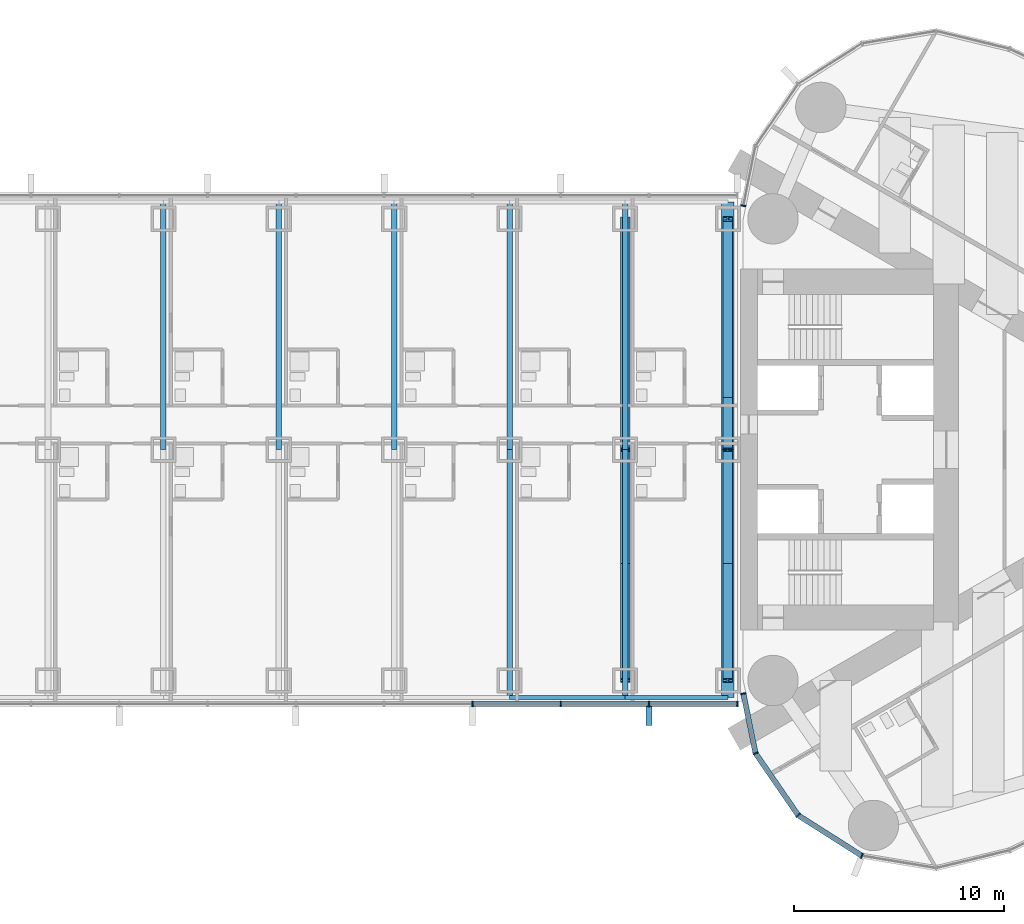
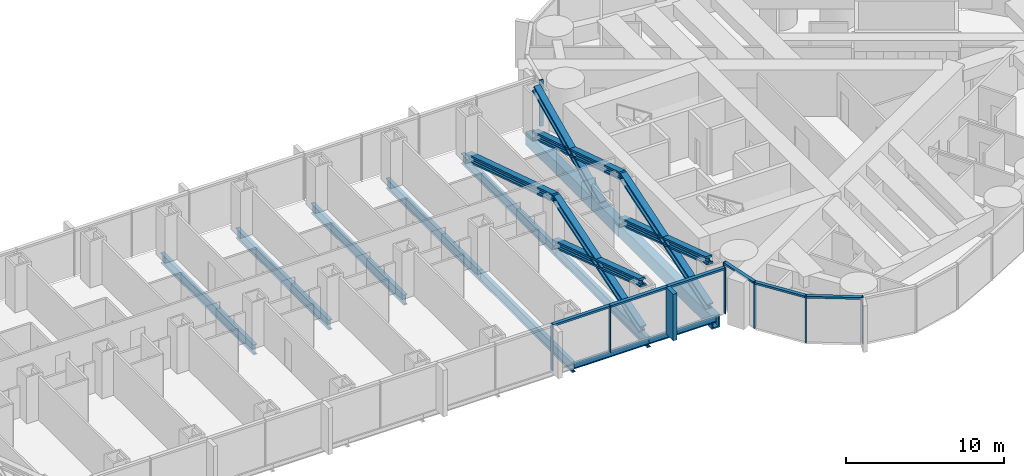
# One storey, part 7 of 23: 23 members, 11 beams, 2 elements without a shape of their own.
"""IFC4 building model written with IfcOpenShell, lengths in metres."""

from ifc_helpers import new_model, si_unit, direction, frame, origin, origin_2d, place, context, subcontext, project, spatial, rectangle, hollow_rectangle, i_section, extrude, material, material_profile, profile_set, type_object, element, aggregate, save


model = new_model("IFC4")

# Units and contexts
model_context = context("Model", 3, precision=1e-05, world=origin(), true_north=direction((0.0, 1.0)))
body_context = subcontext(model_context, "Body", "Model", "MODEL_VIEW")
ifc_project = project(units=[si_unit("LENGTHUNIT", "METRE"), si_unit("AREAUNIT", "SQUARE_METRE"), si_unit("VOLUMEUNIT", "CUBIC_METRE"), si_unit("PLANEANGLEUNIT", "RADIAN"), si_unit("MASSUNIT", "GRAM", prefix="KILO")], contexts=[model_context])

# Site, building, storey
site_placement = place(None, origin())
site = spatial("IfcSite", under=ifc_project, at=site_placement, CompositionType="ELEMENT")
building_placement = place(site_placement, origin())
building = spatial("IfcBuilding", under=site, at=building_placement, Name="Lancet Gate Hotel", CompositionType="ELEMENT")
storey_placement = place(building_placement, frame((0.0, 0.0, 215.300048828125)))
storey = spatial("IfcBuildingStorey", under=building, at=storey_placement, Name="L57", CompositionType="ELEMENT", Elevation=215.300048828125)

# Curtain wall, members
ifc_material_1 = material(Name="Aluminium curtain wall", Category="aluminium")
curtain_wall_type_1 = type_object("IfcCurtainWallType", Name="Tower unitised curtain wall", PredefinedType="USERDEFINED", material=ifc_material_1)
curtain_wall_1_placement = place(storey_placement, origin())
curtain_wall_1 = element("IfcCurtainWall", 1, at=curtain_wall_1_placement, inside=storey, type_object=curtain_wall_type_1, Name="T2 L57 curtain wall 1", ObjectType="UNITISED CURTAIN WALL", PredefinedType="USERDEFINED")
ifc_material_2 = material(Name="Aluminium mullion", Category="aluminium")
ifc_material_profile_1 = material_profile(ifc_material_2, rectangle(XDim=0.06494140625, YDim=0.25, at=origin_2d()), Name="MULLION 65x250")
ifc_profile_set_1 = profile_set([ifc_material_profile_1], Name="Aluminium mullion")
member_type_1 = type_object("IfcMemberType", Name="Aluminium mullion 65x250", PredefinedType="MULLION", material=ifc_profile_set_1)
member_1_placement = place(storey_placement, frame((27.6376953125, -11.624755859375, 0.0), z_axis=(0.0, 0.0, 1.0), x_axis=(0.199533486841, -0.979891008036, 0.0)))
member_1 = element("IfcMember", 2, at=member_1_placement, type_object=member_type_1, Name="T2 L57 curtain wall 1 mullion 1", PredefinedType="MULLION", context=body_context, shape_type="SweptSolid", body=[
    extrude(rectangle(XDim=0.06494140625, YDim=0.25, at=origin_2d()), origin(), (0.0, 0.0, 1.0), 3.599853515625),
])
member_2_placement = place(storey_placement, frame((28.216552734375, -14.467529296875, 0.0), z_axis=(0.0, 0.0, 1.0), x_axis=(0.410881108328, -0.911688935339, 0.0)))
member_2 = element("IfcMember", 3, at=member_2_placement, type_object=member_type_1, Name="T2 L57 curtain wall 1 mullion 2", PredefinedType="MULLION", context=body_context, shape_type="SweptSolid", body=[
    extrude(rectangle(XDim=0.06494140625, YDim=0.25, at=origin_2d()), origin(), (0.0, 0.0, 1.0), 3.599853515625),
])
member_3_placement = place(storey_placement, frame((30.25244140625, -17.42626953125, 0.0), z_axis=(0.0, 0.0, 1.0), x_axis=(0.719809077627, -0.694172090886, 0.0)))
member_3 = element("IfcMember", 4, at=member_3_placement, type_object=member_type_1, Name="T2 L57 curtain wall 1 mullion 3", PredefinedType="MULLION", context=body_context, shape_type="SweptSolid", body=[
    extrude(rectangle(XDim=0.06494140625, YDim=0.25, at=origin_2d()), origin(), (0.0, 0.0, 1.0), 3.599853515625),
])
member_4_placement = place(storey_placement, frame((33.283203125, -19.353515625, 0.0), z_axis=(0.0, 0.0, 1.0), x_axis=(0.93394321776, -0.357421412343, 0.0)))
member_4 = element("IfcMember", 5, at=member_4_placement, type_object=member_type_1, Name="T2 L57 curtain wall 1 mullion 4", PredefinedType="MULLION", context=body_context, shape_type="SweptSolid", body=[
    extrude(rectangle(XDim=0.06494140625, YDim=0.25, at=origin_2d()), origin(), (0.0, 0.0, 1.0), 3.599853515625),
])
member_5_placement = place(storey_placement, frame((27.6376953125, 11.624755859375, 0.0), z_axis=(0.0, 0.0, 1.0), x_axis=(-0.199533486841, -0.979891008036, 0.0)))
member_5 = element("IfcMember", 6, at=member_5_placement, type_object=member_type_1, Name="T2 L57 curtain wall 1 mullion 27", PredefinedType="MULLION", context=body_context, shape_type="SweptSolid", body=[
    extrude(rectangle(XDim=0.06494140625, YDim=0.25, at=origin_2d()), origin(), (0.0, 0.0, 1.0), 3.599853515625),
])

ifc_material_3 = material(Name="Aluminium curtain wall", Category="aluminium")
curtain_wall_type_2 = type_object("IfcCurtainWallType", Name="Bridge block curtain wall", PredefinedType="USERDEFINED", material=ifc_material_3)
curtain_wall_2_placement = place(storey_placement, origin())
curtain_wall_2 = element("IfcCurtainWall", 7, at=curtain_wall_2_placement, inside=storey, type_object=curtain_wall_type_2, Name="Bridge block L57 curtain wall S", ObjectType="UNITISED CURTAIN WALL", PredefinedType="USERDEFINED")
member_6_placement = place(storey_placement, frame((14.726806640625, -12.1201171875, 0.0), z_axis=(0.0, 0.0, 1.0), x_axis=(1.0, 0.0, 0.0)))
member_6 = element("IfcMember", 8, at=member_6_placement, type_object=member_type_1, Name="Bridge block L57 curtain wall S mullion 11", PredefinedType="MULLION", context=body_context, shape_type="SweptSolid", body=[
    extrude(rectangle(XDim=0.06494140625, YDim=0.25, at=origin_2d()), origin(), (0.0, 0.0, 1.0), 3.599853515625),
])
member_7_placement = place(storey_placement, frame((18.9345703125, -12.1201171875, 0.0), z_axis=(0.0, 0.0, 1.0), x_axis=(1.0, 0.0, 0.0)))
member_7 = element("IfcMember", 9, at=member_7_placement, type_object=member_type_1, Name="Bridge block L57 curtain wall S mullion 12", PredefinedType="MULLION", context=body_context, shape_type="SweptSolid", body=[
    extrude(rectangle(XDim=0.06494140625, YDim=0.25, at=origin_2d()), origin(), (0.0, 0.0, 1.0), 3.599853515625),
])
member_8_placement = place(storey_placement, frame((23.142333984375, -12.1201171875, 0.0), z_axis=(0.0, 0.0, 1.0), x_axis=(1.0, 0.0, 0.0)))
member_8 = element("IfcMember", 10, at=member_8_placement, type_object=member_type_1, Name="Bridge block L57 curtain wall S mullion 13", PredefinedType="MULLION", context=body_context, shape_type="SweptSolid", body=[
    extrude(rectangle(XDim=0.06494140625, YDim=0.25, at=origin_2d()), origin(), (0.0, 0.0, 1.0), 3.599853515625),
])
member_9_placement = place(storey_placement, frame((27.35009765625, -12.1201171875, 0.0), z_axis=(0.0, 0.0, 1.0), x_axis=(1.0, 0.0, 0.0)))
member_9 = element("IfcMember", 11, at=member_9_placement, type_object=member_type_1, Name="Bridge block L57 curtain wall S mullion 14", PredefinedType="MULLION", context=body_context, shape_type="SweptSolid", body=[
    extrude(rectangle(XDim=0.06494140625, YDim=0.25, at=origin_2d()), origin(), (0.0, 0.0, 1.0), 3.599853515625),
])

# Member
ifc_material_4 = material(Name="Aluminium transom", Category="aluminium")
ifc_material_profile_2 = material_profile(ifc_material_4, rectangle(XDim=0.25, YDim=0.14990234375, at=origin_2d()), Name="TRANSOM 250x150")
ifc_profile_set_2 = profile_set([ifc_material_profile_2], Name="Aluminium transom")
member_type_2 = type_object("IfcMemberType", Name="Aluminium transom 250x150", PredefinedType="USERDEFINED", material=ifc_profile_set_2)
member_10_placement = place(storey_placement, frame((27.644287109375, -11.65673828125, 3.52490234375), z_axis=(0.199558559253, -0.97988590225, 0.0), x_axis=(0.97988590225, 0.199558559253, 0.0)))
member_10 = element("IfcMember", 12, at=member_10_placement, type_object=member_type_2, Name="T2 L57 curtain wall 1 transom 1", ObjectType="TRANSOM", PredefinedType="USERDEFINED", context=body_context, shape_type="SweptSolid", body=[
    extrude(rectangle(XDim=0.25, YDim=0.14990234375, at=origin_2d()), origin(), (0.0, 0.0, 1.0), 2.8359375),
])

member_11_placement = place(storey_placement, frame((28.235107421875, -14.494140625, 3.52490234375), z_axis=(0.566813768052, -0.82384595183, 0.0), x_axis=(0.82384595183, 0.566813768052, 0.0)))
member_11 = element("IfcMember", 13, at=member_11_placement, type_object=member_type_2, Name="T2 L57 curtain wall 1 transom 2", ObjectType="TRANSOM", PredefinedType="USERDEFINED", context=body_context, shape_type="SweptSolid", body=[
    extrude(rectangle(XDim=0.25, YDim=0.14990234375, at=origin_2d()), origin(), (0.0, 0.0, 1.0), 3.52685546875),
])

member_12_placement = place(storey_placement, frame((30.27978515625, -17.44384765625, 3.52490234375), z_axis=(0.84385811281, -0.536566384938, 0.0), x_axis=(0.536566384938, 0.84385811281, 0.0)))
member_12 = element("IfcMember", 14, at=member_12_placement, type_object=member_type_2, Name="T2 L57 curtain wall 1 transom 3", ObjectType="TRANSOM", PredefinedType="USERDEFINED", context=body_context, shape_type="SweptSolid", body=[
    extrude(rectangle(XDim=0.25, YDim=0.14990234375, at=origin_2d()), origin(), (0.0, 0.0, 1.0), 3.52685546875),
])

aggregate(curtain_wall_1, [member_1, member_2, member_3, member_4, member_5, member_10, member_11, member_12])

member_13_placement = place(storey_placement, frame((14.759521484375, -12.1201171875, 3.52490234375), z_axis=(1.0, 0.0, 0.0), x_axis=(0.0, 1.0, 0.0)))
member_13 = element("IfcMember", 15, at=member_13_placement, type_object=member_type_2, Name="Bridge block L57 curtain wall S transom 11", ObjectType="TRANSOM", PredefinedType="USERDEFINED", context=body_context, shape_type="SweptSolid", body=[
    extrude(rectangle(XDim=0.25, YDim=0.14990234375, at=origin_2d()), origin(), (0.0, 0.0, 1.0), 4.142578125),
])

member_14_placement = place(storey_placement, frame((18.967041015625, -12.1201171875, 3.52490234375), z_axis=(1.0, 0.0, 0.0), x_axis=(0.0, 1.0, 0.0)))
member_14 = element("IfcMember", 16, at=member_14_placement, type_object=member_type_2, Name="Bridge block L57 curtain wall S transom 12", ObjectType="TRANSOM", PredefinedType="USERDEFINED", context=body_context, shape_type="SweptSolid", body=[
    extrude(rectangle(XDim=0.25, YDim=0.14990234375, at=origin_2d()), origin(), (0.0, 0.0, 1.0), 4.142822265625),
])

member_15_placement = place(storey_placement, frame((23.1748046875, -12.1201171875, 3.52490234375), z_axis=(1.0, 0.0, 0.0), x_axis=(0.0, 1.0, 0.0)))
member_15 = element("IfcMember", 17, at=member_15_placement, type_object=member_type_2, Name="Bridge block L57 curtain wall S transom 13", ObjectType="TRANSOM", PredefinedType="USERDEFINED", context=body_context, shape_type="SweptSolid", body=[
    extrude(rectangle(XDim=0.25, YDim=0.14990234375, at=origin_2d()), origin(), (0.0, 0.0, 1.0), 4.142578125),
])

# Members
ifc_material_5 = material(Name="Steel S460", Category="steel")
ifc_material_profile_3 = material_profile(ifc_material_5, i_section(OverallWidth=0.4541015625, OverallDepth=0.569091796875, WebThickness=0.077880859375, FlangeThickness=0.125, FilletRadius=0.02001953125, at=origin_2d()), Name="HD 400x1086")
ifc_profile_set_3 = profile_set([ifc_material_profile_3], Name="Steel S460")
member_type_3 = type_object("IfcMemberType", Name="Block brace HD 400x1086", PredefinedType="BRACE", material=ifc_profile_set_3)
member_16_placement = place(storey_placement, frame((26.89990234375, -11.0, 0.0), z_axis=(0.0, 0.952925780013, 0.303203657277), x_axis=(-1.0, 0.0, 0.0)))
element("IfcMember", 18, at=member_16_placement, inside=storey, type_object=member_type_3, Name="Block brace EY11 L57", PredefinedType="BRACE", context=body_context, shape_type="SweptSolid", body=[
    extrude(i_section(OverallWidth=0.4541015625, OverallDepth=0.569091796875, WebThickness=0.077880859375, FlangeThickness=0.125, FilletRadius=0.02001953125, at=origin_2d()), origin(), (0.0, 0.0, 1.0), 11.54345703125),
])
member_17_placement = place(storey_placement, frame((26.89990234375, 0.0, 0.0), z_axis=(0.0, -0.950400870301, 0.311027628564), x_axis=(1.0, 0.0, 0.0)))
element("IfcMember", 19, at=member_17_placement, inside=storey, type_object=member_type_3, Name="Block brace EY12 L57", PredefinedType="BRACE", context=body_context, shape_type="SweptSolid", body=[
    extrude(i_section(OverallWidth=0.4541015625, OverallDepth=0.569091796875, WebThickness=0.077880859375, FlangeThickness=0.125, FilletRadius=0.02001953125, at=origin_2d()), origin(), (0.0, 0.0, 1.0), 11.573974609375),
])
for number, where, z_axis, x_axis, name in (
    (20, (26.89990234375, 11.0, 0.0), (0.0, -0.952925780013, 0.303203657277), (1.0, 0.0, 0.0), "Block brace EY22 L57"),
    (21, (22.0, -11.0, 0.0), (0.0, 0.952925780013, 0.303203657277), (-1.0, 0.0, 0.0), "Block brace EI11 L57"),
):
    element("IfcMember", number, at=place(storey_placement, frame(where, z_axis=z_axis, x_axis=x_axis)), inside=storey, type_object=member_type_3, Name=name, PredefinedType="BRACE", context=body_context, shape_type="SweptSolid", body=[
        extrude(i_section(OverallWidth=0.4541015625, OverallDepth=0.569091796875, WebThickness=0.077880859375, FlangeThickness=0.125, FilletRadius=0.02001953125, at=origin_2d()), origin(), (0.0, 0.0, 1.0), 11.54345703125),
    ])
member_18_placement = place(storey_placement, frame((22.0, 0.0, 0.0), z_axis=(0.0, -0.950400870301, 0.311027628564), x_axis=(1.0, 0.0, 0.0)))
element("IfcMember", 22, at=member_18_placement, inside=storey, type_object=member_type_3, Name="Block brace EI12 L57", PredefinedType="BRACE", context=body_context, shape_type="SweptSolid", body=[
    extrude(i_section(OverallWidth=0.4541015625, OverallDepth=0.569091796875, WebThickness=0.077880859375, FlangeThickness=0.125, FilletRadius=0.02001953125, at=origin_2d()), origin(), (0.0, 0.0, 1.0), 11.573974609375),
])
member_19_placement = place(storey_placement, frame((22.0, 11.0, 0.0), z_axis=(0.0, -0.952925780013, 0.303203657277), x_axis=(1.0, 0.0, 0.0)))
element("IfcMember", 23, at=member_19_placement, inside=storey, type_object=member_type_3, Name="Block brace EI22 L57", PredefinedType="BRACE", context=body_context, shape_type="SweptSolid", body=[
    extrude(i_section(OverallWidth=0.4541015625, OverallDepth=0.569091796875, WebThickness=0.077880859375, FlangeThickness=0.125, FilletRadius=0.02001953125, at=origin_2d()), origin(), (0.0, 0.0, 1.0), 11.54345703125),
])
member_20_placement = place(storey_placement, frame((26.89990234375, 2.60009765625, -0.300048828125), z_axis=(0.0, 0.907011125382, 0.421106659212), x_axis=(-1.0, 0.0, 0.0)))
element("IfcMember", 24, at=member_20_placement, inside=storey, type_object=member_type_3, Name="Block brace EY23 L57", PredefinedType="BRACE", context=body_context, shape_type="SweptSolid", body=[
    extrude(i_section(OverallWidth=0.4541015625, OverallDepth=0.569091796875, WebThickness=0.077880859375, FlangeThickness=0.125, FilletRadius=0.02001953125, at=origin_2d()), origin(), (0.0, 0.0, 1.0), 9.260986328125),
])

# Beams
ifc_material_6 = material(Name="Steel S355", Category="steel")
ifc_material_profile_4 = material_profile(ifc_material_6, i_section(OverallWidth=0.19140625, OverallDepth=0.4599609375, WebThickness=0.010009765625, FlangeThickness=0.01611328125, FilletRadius=0.01025390625, at=origin_2d()), Name="UKB 457x191x82")
ifc_profile_set_4 = profile_set([ifc_material_profile_4], Name="Steel S355")
beam_type_1 = type_object("IfcBeamType", Name="Block edge beam UKB 457x191x82", PredefinedType="SPANDREL", material=ifc_profile_set_4)
beam_1_placement = place(storey_placement, frame((16.5, -11.800048828125, -0.429931640625), z_axis=(1.0, 0.0, 0.0), x_axis=(0.0, 1.0, 0.0)))
element("IfcBeam", 25, at=beam_1_placement, inside=storey, type_object=beam_type_1, Name="Block edge beam S 8-9 L57", PredefinedType="SPANDREL", context=body_context, shape_type="SweptSolid", body=[
    extrude(i_section(OverallWidth=0.19140625, OverallDepth=0.4599609375, WebThickness=0.010009765625, FlangeThickness=0.01611328125, FilletRadius=0.01025390625, at=origin_2d()), origin(), (0.0, 0.0, 1.0), 5.5),
])
beam_2_placement = place(storey_placement, frame((22.0, -11.800048828125, -0.429931640625), z_axis=(1.0, 0.0, 0.0), x_axis=(0.0, 1.0, 0.0)))
element("IfcBeam", 26, at=beam_2_placement, inside=storey, type_object=beam_type_1, Name="Block edge beam S 9-10 L57", PredefinedType="SPANDREL", context=body_context, shape_type="SweptSolid", body=[
    extrude(i_section(OverallWidth=0.19140625, OverallDepth=0.4599609375, WebThickness=0.010009765625, FlangeThickness=0.01611328125, FilletRadius=0.01025390625, at=origin_2d()), origin(), (0.0, 0.0, 1.0), 4.89990234375),
])
ifc_material_7 = material(Name="Steel S460QL", Category="steel")
ifc_material_profile_5 = material_profile(ifc_material_7, hollow_rectangle(XDim=0.60009765625, YDim=1.0, WallThickness=0.10009765625, at=origin_2d()), Name="BOX 1000x600x100")
ifc_profile_set_5 = profile_set([ifc_material_profile_5], Name="Steel S460QL")
beam_type_2 = type_object("IfcBeamType", Name="Block end beam BOX 1000x600x100", PredefinedType="BEAM", material=ifc_profile_set_5)
for number, where, z_axis, x_axis, name in (
    (27, (26.89990234375, -11.800048828125, -0.699951171875), (0.0, 1.0, 0.0), (-1.0, 0.0, 0.0), "Block beam x10 S L57"),
    (28, (26.89990234375, 0.0, -0.699951171875), (0.0, 1.0, 0.0), (-1.0, 0.0, 0.0), "Block beam x10 N L57"),
):
    element("IfcBeam", number, at=place(storey_placement, frame(where, z_axis=z_axis, x_axis=x_axis)), inside=storey, type_object=beam_type_2, Name=name, PredefinedType="BEAM", context=body_context, shape_type="SweptSolid", body=[
        extrude(hollow_rectangle(XDim=0.60009765625, YDim=1.0, WallThickness=0.10009765625, at=origin_2d()), origin(), (0.0, 0.0, 1.0), 11.800048828125),
    ])
ifc_material_8 = material(Name="Steel S355", Category="steel")
ifc_material_profile_6 = material_profile(ifc_material_8, i_section(OverallWidth=0.26806640625, OverallDepth=0.769775390625, WebThickness=0.015625, FlangeThickness=0.025390625, FilletRadius=0.0166015625, at=origin_2d()), Name="UKB 762x267x197")
ifc_profile_set_6 = profile_set([ifc_material_profile_6], Name="Steel S355")
beam_type_3 = type_object("IfcBeamType", Name="Block secondary beam UKB 762x267x197", PredefinedType="JOIST", material=ifc_profile_set_6)
for number, where, z_axis, x_axis, name in (
    (29, (0.0, 0.0, -0.5849609375), (0.0, 1.0, 0.0), (-1.0, 0.0, 0.0), "Block beam x5 N L57"),
    (30, (5.5, 0.0, -0.5849609375), (0.0, 1.0, 0.0), (-1.0, 0.0, 0.0), "Block beam x6 N L57"),
    (31, (11.0, 0.0, -0.5849609375), (0.0, 1.0, 0.0), (-1.0, 0.0, 0.0), "Block beam x7 N L57"),
    (32, (16.5, -11.800048828125, -0.5849609375), (0.0, 1.0, 0.0), (-1.0, 0.0, 0.0), "Block beam x8 S L57"),
    (33, (16.5, 0.0, -0.5849609375), (0.0, 1.0, 0.0), (-1.0, 0.0, 0.0), "Block beam x8 N L57"),
    (34, (22.0, -11.800048828125, -0.5849609375), (0.0, 1.0, 0.0), (-1.0, 0.0, 0.0), "Block beam x9 S L57"),
    (35, (22.0, 0.0, -0.5849609375), (0.0, 1.0, 0.0), (-1.0, 0.0, 0.0), "Block beam x9 N L57"),
):
    element("IfcBeam", number, at=place(storey_placement, frame(where, z_axis=z_axis, x_axis=x_axis)), inside=storey, type_object=beam_type_3, Name=name, PredefinedType="JOIST", context=body_context, shape_type="SweptSolid", body=[
        extrude(i_section(OverallWidth=0.26806640625, OverallDepth=0.769775390625, WebThickness=0.015625, FlangeThickness=0.025390625, FilletRadius=0.0166015625, at=origin_2d()), origin(), (0.0, 0.0, 1.0), 11.800048828125),
    ])

# Member
ifc_material_9 = material(Name="Precast concrete C50/60", Category="concrete")
ifc_material_profile_7 = material_profile(ifc_material_9, rectangle(XDim=0.300048828125, YDim=0.89990234375, at=origin_2d()), Name="FIN 300x900")
ifc_profile_set_7 = profile_set([ifc_material_profile_7], Name="Precast concrete C50/60")
member_type_4 = type_object("IfcMemberType", Name="Exposed concrete fin 300x900", PredefinedType="USERDEFINED", material=ifc_profile_set_7)
member_21_placement = place(storey_placement, frame((23.142333984375, -12.695068359375, 0.0), z_axis=(0.0, 0.0, 1.0), x_axis=(1.0, 0.0, 0.0)))
member_21 = element("IfcMember", 36, at=member_21_placement, type_object=member_type_4, Name="Bridge block L57 curtain wall S fin 13", ObjectType="FIN", PredefinedType="USERDEFINED", context=body_context, shape_type="SweptSolid", body=[
    extrude(rectangle(XDim=0.300048828125, YDim=0.89990234375, at=origin_2d()), origin(), (0.0, 0.0, 1.0), 3.599853515625),
])

aggregate(curtain_wall_2, [member_6, member_7, member_8, member_21, member_9, member_13, member_14, member_15])

save(model, "model.ifc")
